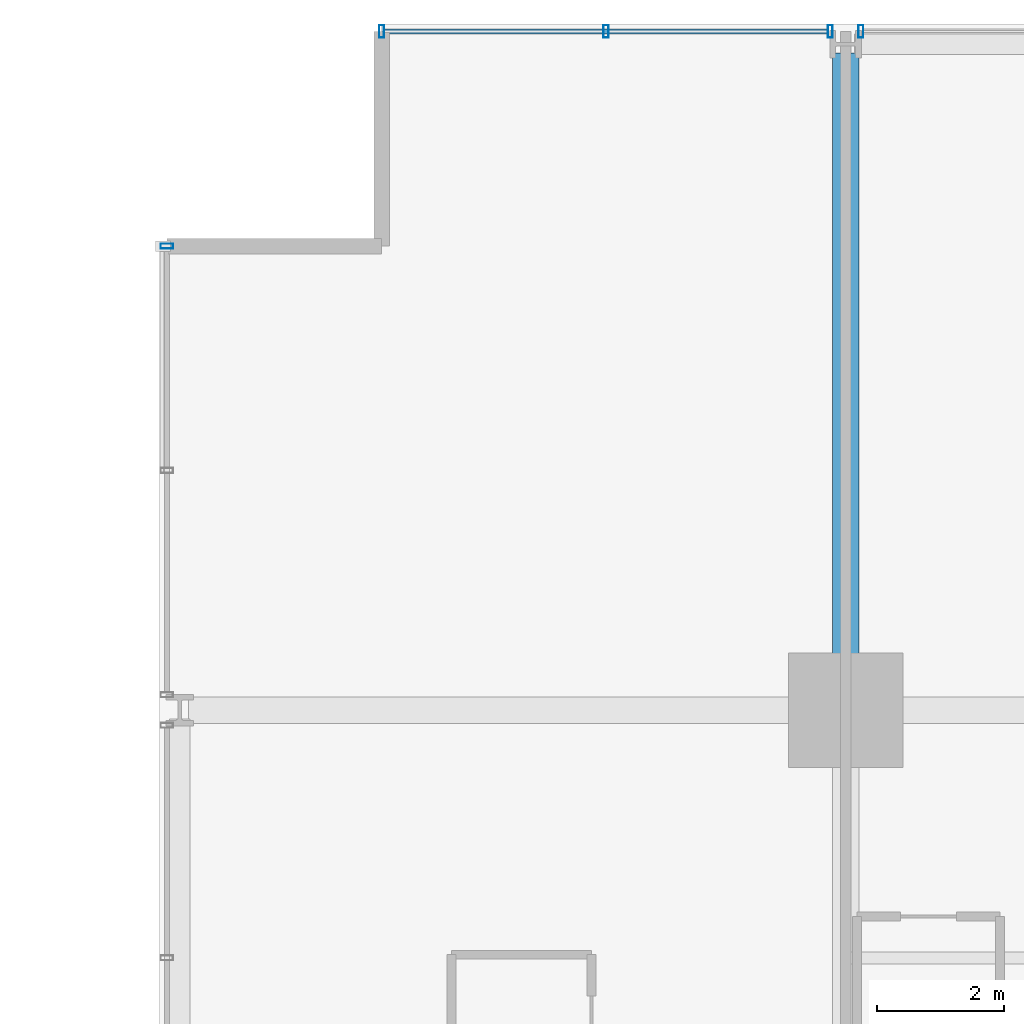
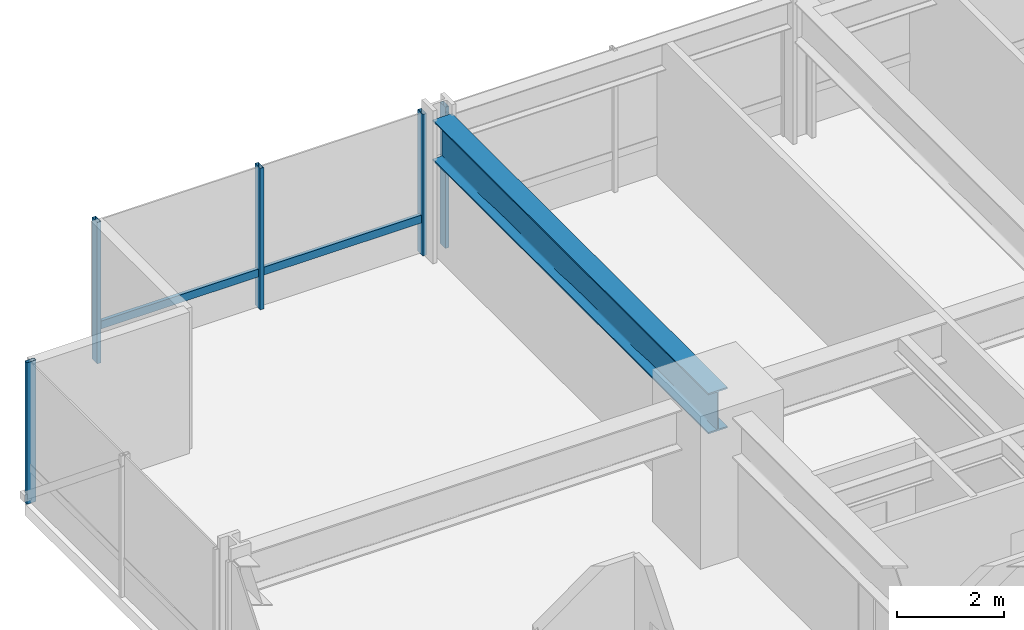
# One storey, part 21 of 42: 6 members, 1 beam, 3 elements without a shape of their own.
"""IFC4 building model written with IfcOpenShell, lengths in metres."""

from ifc_helpers import new_model, si_unit, direction, frame, origin, origin_2d, place, context, subcontext, project, spatial, hollow_rectangle, i_section, extrude, material, layer, layer_set, material_profile, profile_set, type_object, element, aggregate, save


model = new_model("IFC4")

# Units and contexts
model_context = context("Model", 3, precision=1e-05, world=origin(), true_north=direction((0.0, 1.0)))
body_context = subcontext(model_context, "Body", "Model", "MODEL_VIEW")
ifc_project = project(units=[si_unit("LENGTHUNIT", "METRE"), si_unit("AREAUNIT", "SQUARE_METRE"), si_unit("VOLUMEUNIT", "CUBIC_METRE"), si_unit("PLANEANGLEUNIT", "RADIAN"), si_unit("MASSUNIT", "GRAM", prefix="KILO")], contexts=[model_context])

# Site, building, storey
site_placement = place(None, origin())
site = spatial("IfcSite", under=ifc_project, at=site_placement, CompositionType="ELEMENT")
building_placement = place(site_placement, origin())
building = spatial("IfcBuilding", under=site, at=building_placement, Name="Drelvath Grand Hotel", CompositionType="ELEMENT")
storey_placement = place(building_placement, frame((0.0, 0.0, 33.199951171875)))
storey = spatial("IfcBuildingStorey", under=building, at=storey_placement, Name="L06", CompositionType="ELEMENT", Elevation=33.199951171875)

# Curtain wall, member
ifc_material_1 = material(Name="Warm Bronze Anodised Aluminium Frame", Category="aluminium")
ifc_layer = layer(ifc_material_1, 0.199951171875)
ifc_layer_set = layer_set([ifc_layer], Name="Warm Bronze Anodised Aluminium Frame")
curtain_wall_type = type_object("IfcCurtainWallType", Name="Stick Curtain Wall CW-02 Warm Bronze Low-Rise", PredefinedType="NOTDEFINED", material=ifc_layer_set)
curtain_wall_1_placement = place(storey_placement, origin())
curtain_wall_1 = element("IfcCurtainWall", 1, at=curtain_wall_1_placement, inside=storey, type_object=curtain_wall_type, Name="L06 CW-02 Curtain Wall CW02-L06-NW1", PredefinedType="NOTDEFINED")
ifc_material_profile_1 = material_profile(ifc_material_1, hollow_rectangle(XDim=0.074951171875, YDim=0.179931640625, WallThickness=0.0048828125, at=origin_2d()), Name="HSS180X75X5")
ifc_profile_set_1 = profile_set([ifc_material_profile_1], Name="Warm Bronze Anodised Aluminium Frame")
member_type_1 = type_object("IfcMemberType", Name="Curtain Wall Horizontal Transom CW-02 HSS180X75X5", PredefinedType="USERDEFINED", material=ifc_profile_set_1)
member_1_placement = place(storey_placement, frame((-23.4599609375, 53.8798828125, 0.81005859375), z_axis=(1.0, 0.0, 0.0), x_axis=(0.0, 1.0, 0.0)))
member_1 = element("IfcMember", 2, at=member_1_placement, type_object=member_type_1, Name="CW02-L06-NW1 Sill Transom", ObjectType="TRANSOM", PredefinedType="USERDEFINED", context=body_context, shape_type="SweptSolid", body=[
    extrude(hollow_rectangle(XDim=0.074951171875, YDim=0.179931640625, WallThickness=0.0048828125, at=origin_2d()), origin(), (0.0, 0.0, 1.0), 6.97900390625),
])

curtain_wall_2_placement = place(storey_placement, origin())
curtain_wall_2 = element("IfcCurtainWall", 3, at=curtain_wall_2_placement, inside=storey, type_object=curtain_wall_type, Name="L06 CW-02 Curtain Wall CW02-L06-WN3", PredefinedType="NOTDEFINED")
ifc_material_profile_2 = material_profile(ifc_material_1, hollow_rectangle(XDim=0.080078125, YDim=0.199951171875, WallThickness=0.0048828125, at=origin_2d()), Name="HSS200X80X5")
ifc_profile_set_2 = profile_set([ifc_material_profile_2], Name="Warm Bronze Anodised Aluminium Frame")
member_type_2 = type_object("IfcMemberType", Name="Curtain Wall Vertical Mullion CW-02 HSS200X80X5", PredefinedType="MULLION", material=ifc_profile_set_2)
member_2_placement = place(storey_placement, frame((-26.8798828125, 50.5, 0.0), z_axis=(0.0, 0.0, 1.0), x_axis=(0.0, 1.0, 0.0)))
member_2 = element("IfcMember", 4, at=member_2_placement, type_object=member_type_2, Name="CW02-L06-WN3 Mullion 3", PredefinedType="MULLION", context=body_context, shape_type="SweptSolid", body=[
    extrude(hollow_rectangle(XDim=0.080078125, YDim=0.199951171875, WallThickness=0.0048828125, at=origin_2d()), origin(), (0.0, 0.0, 1.0), 3.239990234375),
])
aggregate(curtain_wall_2, [member_2])

# Member
member_3_placement = place(storey_placement, frame((-23.5, 53.8798828125, 0.0), z_axis=(0.0, 0.0, 1.0), x_axis=(1.0, 0.0, 0.0)))
member_3 = element("IfcMember", 5, at=member_3_placement, type_object=member_type_2, Name="CW02-L06-NW1 Mullion 1", PredefinedType="MULLION", context=body_context, shape_type="SweptSolid", body=[
    extrude(hollow_rectangle(XDim=0.080078125, YDim=0.199951171875, WallThickness=0.0048828125, at=origin_2d()), origin(), (0.0, 0.0, 1.0), 3.239990234375),
])

member_4_placement = place(storey_placement, frame((-19.970458984375, 53.8798828125, 0.0), z_axis=(0.0, 0.0, 1.0), x_axis=(1.0, 0.0, 0.0)))
member_4 = element("IfcMember", 6, at=member_4_placement, type_object=member_type_2, Name="CW02-L06-NW1 Mullion 2", PredefinedType="MULLION", context=body_context, shape_type="SweptSolid", body=[
    extrude(hollow_rectangle(XDim=0.080078125, YDim=0.199951171875, WallThickness=0.0048828125, at=origin_2d()), origin(), (0.0, 0.0, 1.0), 3.239990234375),
])

member_5_placement = place(storey_placement, frame((-16.44091796875, 53.8798828125, 0.0), z_axis=(0.0, 0.0, 1.0), x_axis=(1.0, 0.0, 0.0)))
member_5 = element("IfcMember", 7, at=member_5_placement, type_object=member_type_2, Name="CW02-L06-NW1 Mullion 3", PredefinedType="MULLION", context=body_context, shape_type="SweptSolid", body=[
    extrude(hollow_rectangle(XDim=0.080078125, YDim=0.199951171875, WallThickness=0.0048828125, at=origin_2d()), origin(), (0.0, 0.0, 1.0), 3.239990234375),
])

aggregate(curtain_wall_1, [member_3, member_4, member_5, member_1])

# Curtain wall, member
curtain_wall_3_placement = place(storey_placement, origin())
curtain_wall_3 = element("IfcCurtainWall", 8, at=curtain_wall_3_placement, inside=storey, type_object=curtain_wall_type, Name="L06 CW-02 Curtain Wall CW02-L06-NW2", PredefinedType="NOTDEFINED")
member_6_placement = place(storey_placement, frame((-15.958984375, 53.8798828125, 0.0), z_axis=(0.0, 0.0, 1.0), x_axis=(1.0, 0.0, 0.0)))
member_6 = element("IfcMember", 9, at=member_6_placement, type_object=member_type_2, Name="CW02-L06-NW2 Mullion 1", PredefinedType="MULLION", context=body_context, shape_type="SweptSolid", body=[
    extrude(hollow_rectangle(XDim=0.080078125, YDim=0.199951171875, WallThickness=0.0048828125, at=origin_2d()), origin(), (0.0, 0.0, 1.0), 3.239990234375),
])
aggregate(curtain_wall_3, [member_6])

# Beam
ifc_material_2 = material(Name="Steel ASTM A992 Gr 50", Category="steel")
ifc_material_profile_3 = material_profile(ifc_material_2, i_section(OverallWidth=0.418212890625, OverallDepth=0.926513671875, WebThickness=0.019287109375, FlangeThickness=0.031982421875, FilletRadius=0.028076171875, at=origin_2d()), Name="W36X231")
ifc_profile_set_3 = profile_set([ifc_material_profile_3], Name="Steel ASTM A992 Gr 50")
beam_type = type_object("IfcBeamType", Name="Primary Floor Girder W36X231", PredefinedType="BEAM", material=ifc_profile_set_3)
beam_placement = place(storey_placement, frame((-16.199951171875, 43.199951171875, 2.77685546875), z_axis=(0.0, 1.0, 0.0), x_axis=(-1.0, 0.0, 0.0)))
element("IfcBeam", 10, at=beam_placement, inside=storey, type_object=beam_type, Name="L06 North Grid Girder 3", PredefinedType="BEAM", context=body_context, shape_type="SweptSolid", body=[
    extrude(i_section(OverallWidth=0.418212890625, OverallDepth=0.926513671875, WebThickness=0.019287109375, FlangeThickness=0.031982421875, FilletRadius=0.028076171875, at=origin_2d()), origin(), (0.0, 0.0, 1.0), 10.340087890625),
])

save(model, "model.ifc")
